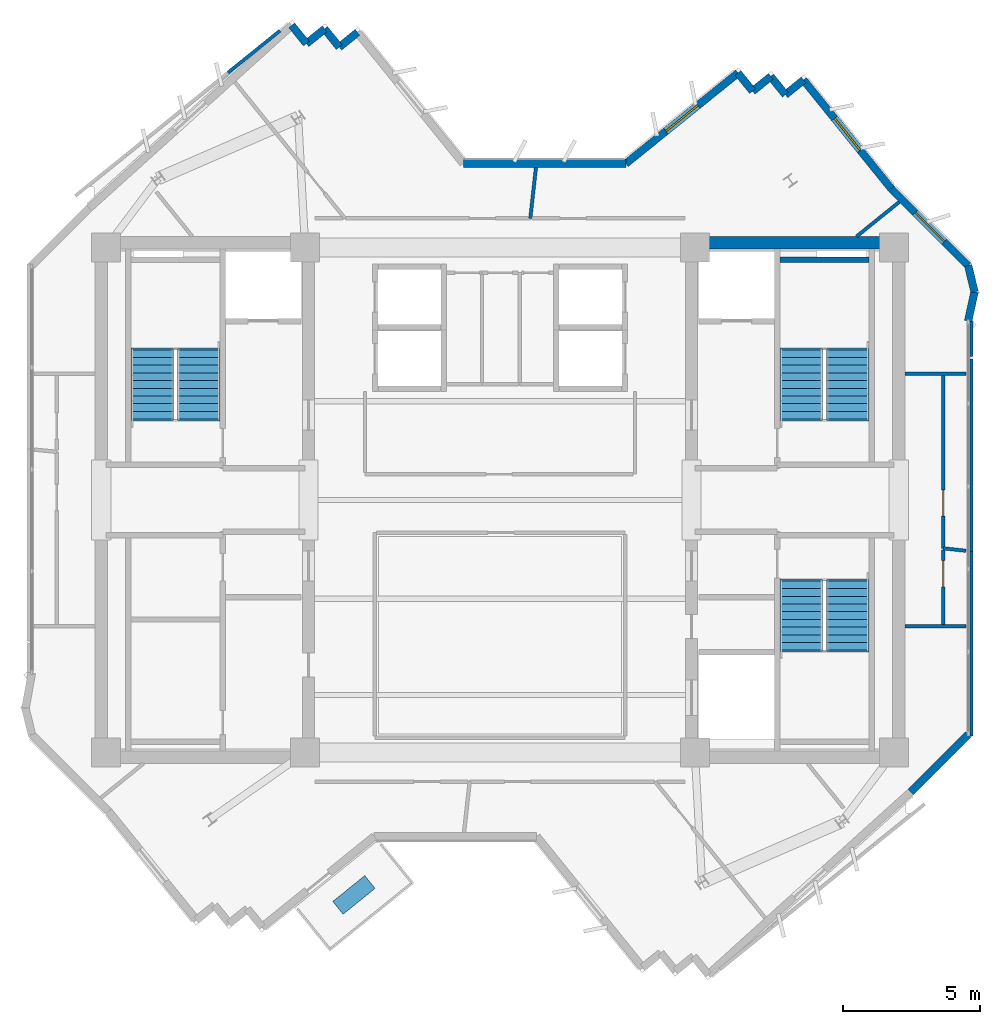
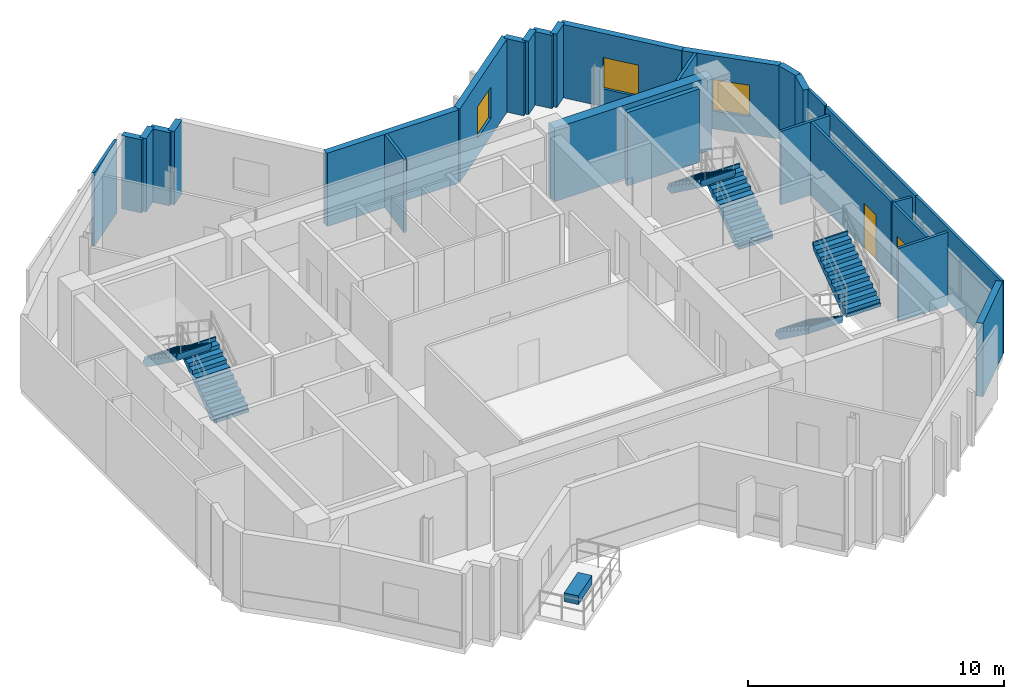
# One storey, part 9 of 11: 28 walls, 6 stair flights, 3 windows, 2 doors, 1 discrete accessory, 5 openings, 3 elements without a shape of their own.
"""IFC4 building model written with IfcOpenShell, lengths in metres."""

from ifc_helpers import new_model, si_unit, direction, frame, frame_2d, origin, origin_2d, place, context, subcontext, project, spatial, polyline, rectangle, outline, extrude, source, transform, mapped, material, layer, layer_set, type_object, element, fill, aggregate, save


model = new_model("IFC4")

# Units and contexts
model_context = context("Model", 3, precision=1e-05, world=origin(), true_north=direction((0.0, 1.0)))
body_context = subcontext(model_context, "Body", "Model", "MODEL_VIEW")
ifc_project = project(units=[si_unit("LENGTHUNIT", "METRE"), si_unit("AREAUNIT", "SQUARE_METRE"), si_unit("VOLUMEUNIT", "CUBIC_METRE"), si_unit("PLANEANGLEUNIT", "RADIAN"), si_unit("MASSUNIT", "GRAM", prefix="KILO")], contexts=[model_context])

# Site, building, storey
site_placement = place(None, origin())
site = spatial("IfcSite", under=ifc_project, at=site_placement, CompositionType="ELEMENT")
building_placement = place(site_placement, origin())
building = spatial("IfcBuilding", under=site, at=building_placement, Name="Zahravan Cultural Tower", CompositionType="ELEMENT")
storey_placement = place(building_placement, frame((0.0, 0.0, 284.10009765625)))
storey = spatial("IfcBuildingStorey", under=building, at=storey_placement, Name="L68", CompositionType="ELEMENT", Elevation=284.10009765625)

# Wall, opening, window
ifc_material_1 = material(Name="Precast concrete C40/50", Category="concrete")
ifc_layer_1 = layer(ifc_material_1, 0.280029296875)
ifc_layer_set_1 = layer_set([ifc_layer_1], Name="Precast concrete C40/50")
wall_type_1 = type_object("IfcWallType", Name="EW-TC-280", PredefinedType="SOLIDWALL", material=ifc_layer_set_1)
wall_1_placement = place(storey_placement, frame((40.5830078125, 39.260009765625, 0.0), z_axis=(0.0, 0.0, 1.0), x_axis=(0.778072238875, 0.628174809342, 0.0)))
wall_1 = element("IfcWall", 1, at=wall_1_placement, inside=storey, type_object=wall_type_1, Name="L68 Exterior Masonry Frame Wall 09", PredefinedType="SOLIDWALL", context=body_context, shape_type="SweptSolid", body=[
    extrude(rectangle(XDim=5.252685546875, YDim=0.280029296875, at=frame_2d((2.62646484375, 0.0))), origin(), (0.0, 0.0, 1.0), 3.5),
])
opening_1_placement = place(wall_1_placement, frame((1.8759765625, 0.0, 0.85009765625)))
opening_1 = element("IfcOpeningElement", 2, at=opening_1_placement, cuts=wall_1, Name="Opening WN-03", PredefinedType="OPENING", context=body_context, shape_type="SweptSolid", body=[
    extrude(rectangle(XDim=1.5, YDim=1.5, at=frame_2d((0.75, 0.75))), frame((0.0, 0.14990234375, 0.0), z_axis=(0.0, -1.0, 0.0), x_axis=(1.0, 0.0, 0.0)), (0.0, 0.0, 1.0), 0.300048828125),
])
ifc_material_2 = material(Name="Low-E solar-control double glazing", Category="glass")
window_type = type_object("IfcWindowType", Name="WN-REC-1500X1500", PartitioningType="SINGLE_PANEL", PredefinedType="WINDOW", material=ifc_material_2)
shared_shape_1 = source(origin(), body_context, "Body", "SweptSolid", [
    extrude(rectangle(XDim=1.5, YDim=1.5, at=frame_2d((0.75, 0.75))), frame((0.0, 0.030029296875, 0.0), z_axis=(0.0, -1.0, 0.0), x_axis=(1.0, 0.0, 0.0)), (0.0, 0.0, 1.0), 0.06005859375),
])
window_1_placement = place(opening_1_placement, origin())
window_1 = element("IfcWindow", 3, at=window_1_placement, inside=storey, type_object=window_type, Name="L68 Recessed Solar Window 03", OverallHeight=1.5, OverallWidth=1.5, PartitioningType="SINGLE_PANEL", PredefinedType="WINDOW", context=body_context, shape_type="MappedRepresentation", body=[
    mapped(shared_shape_1, transform((0.0, 0.0, 0.0), x_axis=(1.0, 0.0, 0.0), y_axis=(0.0, 1.0, 0.0), z_axis=(0.0, 0.0, 1.0), scale=1.0)),
])
fill(opening_1, window_1)

wall_2_placement = place(storey_placement, frame((47.060302734375, 42.3046875, 0.0), z_axis=(0.0, 0.0, 1.0), x_axis=(0.628225517447, -0.778031297075, 0.0)))
wall_2 = element("IfcWall", 4, at=wall_2_placement, inside=storey, type_object=wall_type_1, Name="L68 Exterior Masonry Frame Wall 14", PredefinedType="SOLIDWALL", context=body_context, shape_type="SweptSolid", body=[
    extrude(rectangle(XDim=5.0927734375, YDim=0.280029296875, at=frame_2d((2.54638671875, 0.0))), origin(), (0.0, 0.0, 1.0), 3.5),
])
opening_2_placement = place(wall_2_placement, frame((1.7958984375, 0.0, 0.85009765625)))
opening_2 = element("IfcOpeningElement", 5, at=opening_2_placement, cuts=wall_2, Name="Opening WN-03", PredefinedType="OPENING", context=body_context, shape_type="SweptSolid", body=[
    extrude(rectangle(XDim=1.5, YDim=1.5, at=frame_2d((0.75, 0.75))), frame((0.0, 0.14990234375, 0.0), z_axis=(0.0, -1.0, 0.0), x_axis=(1.0, 0.0, 0.0)), (0.0, 0.0, 1.0), 0.300048828125),
])
window_2_placement = place(opening_2_placement, origin())
window_2 = element("IfcWindow", 6, at=window_2_placement, inside=storey, type_object=window_type, Name="L68 Recessed Solar Window 04", OverallHeight=1.5, OverallWidth=1.5, PartitioningType="SINGLE_PANEL", PredefinedType="WINDOW", context=body_context, shape_type="MappedRepresentation", body=[
    mapped(shared_shape_1, transform((0.0, 0.0, 0.0), x_axis=(1.0, 0.0, 0.0), y_axis=(0.0, 1.0, 0.0), z_axis=(0.0, 0.0, 1.0), scale=1.0)),
])
fill(opening_2, window_2)

wall_3_placement = place(storey_placement, frame((50.259765625, 38.34228515625, 0.0), z_axis=(0.0, 0.0, 1.0), x_axis=(0.707106781187, -0.707106781187, 0.0)))
wall_3 = element("IfcWall", 7, at=wall_3_placement, inside=storey, type_object=wall_type_1, Name="L68 Exterior Masonry Frame Wall 15", PredefinedType="SOLIDWALL", context=body_context, shape_type="SweptSolid", body=[
    extrude(rectangle(XDim=3.960205078125, YDim=0.280029296875, at=frame_2d((1.97998046875, 0.0))), origin(), (0.0, 0.0, 1.0), 3.5),
])
opening_3_placement = place(wall_3_placement, frame((1.22998046875, 0.0, 0.85009765625)))
opening_3 = element("IfcOpeningElement", 8, at=opening_3_placement, cuts=wall_3, Name="Opening WN-03", PredefinedType="OPENING", context=body_context, shape_type="SweptSolid", body=[
    extrude(rectangle(XDim=1.5, YDim=1.5, at=frame_2d((0.75, 0.75))), frame((0.0, 0.14990234375, 0.0), z_axis=(0.0, -1.0, 0.0), x_axis=(1.0, 0.0, 0.0)), (0.0, 0.0, 1.0), 0.300048828125),
])
window_3_placement = place(opening_3_placement, origin())
window_3 = element("IfcWindow", 9, at=window_3_placement, inside=storey, type_object=window_type, Name="L68 Recessed Solar Window 05", OverallHeight=1.5, OverallWidth=1.5, PartitioningType="SINGLE_PANEL", PredefinedType="WINDOW", context=body_context, shape_type="MappedRepresentation", body=[
    mapped(shared_shape_1, transform((0.0, 0.0, 0.0), x_axis=(1.0, 0.0, 0.0), y_axis=(0.0, 1.0, 0.0), z_axis=(0.0, 0.0, 1.0), scale=1.0)),
])
fill(opening_3, window_3)

# Wall, opening, door
ifc_material_3 = material(Name="Gypsum plasterboard partition")
ifc_layer_2 = layer(ifc_material_3, 0.125)
ifc_layer_set_2 = layer_set([ifc_layer_2], Name="Gypsum plasterboard partition")
wall_type_2 = type_object("IfcWallType", Name="W-PART-125", PredefinedType="PARTITIONING", material=ifc_layer_set_2)
wall_4_placement = place(storey_placement, frame((52.14990234375, 25.240478515625, 0.0), z_axis=(0.0, 0.0, 1.0), x_axis=(-0.000155231293, 0.999999987952, 0.0)))
wall_4 = element("IfcWall", 10, at=wall_4_placement, inside=storey, type_object=wall_type_2, Name="L68 Interior Wall 060", PredefinedType="PARTITIONING", context=body_context, shape_type="SweptSolid", body=[
    extrude(rectangle(XDim=6.291015625, YDim=0.125, at=frame_2d((3.1455078125, 0.0))), origin(), (0.0, 0.0, 1.0), 3.5),
])
opening_4_placement = place(wall_4_placement, frame((1.175048828125, 0.0, 0.0)))
opening_4 = element("IfcOpeningElement", 11, at=opening_4_placement, cuts=wall_4, Name="Opening D-L68-17", PredefinedType="OPENING", context=body_context, shape_type="SweptSolid", body=[
    extrude(rectangle(XDim=0.949951171875, YDim=2.14990234375, at=frame_2d((0.47509765625, 1.074951171875))), frame((0.0, 0.072509765625, 0.0), z_axis=(0.0, -1.0, 0.0), x_axis=(1.0, 0.0, 0.0)), (0.0, 0.0, 1.0), 0.14501953125),
])
ifc_material_4 = material(Name="Anodised bronze-aluminium mullion", Category="aluminium")
door_type = type_object("IfcDoorType", Name="DR-ROOM-950", OperationType="NOTDEFINED", PredefinedType="DOOR", material=ifc_material_4)
shared_shape_2 = source(origin(), body_context, "Body", "SweptSolid", [
    extrude(rectangle(XDim=0.949951171875, YDim=2.14990234375, at=frame_2d((0.47509765625, 1.074951171875))), frame((0.0, 0.02490234375, 0.0), z_axis=(0.0, -1.0, 0.0), x_axis=(1.0, 0.0, 0.0)), (0.0, 0.0, 1.0), 0.050048828125),
])
door_1_placement = place(opening_4_placement, origin())
door_1 = element("IfcDoor", 12, at=door_1_placement, inside=storey, type_object=door_type, Name="L68 Door D-L68-17", OperationType="SINGLE_SWING_RIGHT", OverallHeight=2.14990234375, OverallWidth=0.949951171875, PredefinedType="DOOR", context=body_context, shape_type="MappedRepresentation", body=[
    mapped(shared_shape_2, transform((0.0, 0.0, 0.0), x_axis=(1.0, 0.0, 0.0), y_axis=(0.0, 1.0, 0.0), z_axis=(0.0, 0.0, 1.0), scale=1.0)),
])
fill(opening_4, door_1)

wall_5_placement = place(storey_placement, frame((52.146484375, 22.468017578125, 0.0), z_axis=(0.0, 0.0, 1.0), x_axis=(0.001263765014, 0.999999201449, 0.0)))
wall_5 = element("IfcWall", 13, at=wall_5_placement, inside=storey, type_object=wall_type_2, Name="L68 Interior Wall 063", PredefinedType="PARTITIONING", context=body_context, shape_type="SweptSolid", body=[
    extrude(rectangle(XDim=2.70458984375, YDim=0.125, at=frame_2d((1.352294921875, 0.0))), origin(), (0.0, 0.0, 1.0), 3.5),
])
opening_5_placement = place(wall_5_placement, frame((1.36865234375, 0.0, 0.0)))
opening_5 = element("IfcOpeningElement", 14, at=opening_5_placement, cuts=wall_5, Name="Opening D-L68-24", PredefinedType="OPENING", context=body_context, shape_type="SweptSolid", body=[
    extrude(rectangle(XDim=0.949951171875, YDim=2.14990234375, at=frame_2d((0.47509765625, 1.074951171875))), frame((0.0, 0.072509765625, 0.0), z_axis=(0.0, -1.0, 0.0), x_axis=(1.0, 0.0, 0.0)), (0.0, 0.0, 1.0), 0.14501953125),
])
door_2_placement = place(opening_5_placement, origin())
door_2 = element("IfcDoor", 15, at=door_2_placement, inside=storey, type_object=door_type, Name="L68 Door D-L68-24", OperationType="SINGLE_SWING_LEFT", OverallHeight=2.14990234375, OverallWidth=0.949951171875, PredefinedType="DOOR", context=body_context, shape_type="MappedRepresentation", body=[
    mapped(shared_shape_2, transform((0.0, 0.0, 0.0), x_axis=(1.0, 0.0, 0.0), y_axis=(0.0, 1.0, 0.0), z_axis=(0.0, 0.0, 1.0), scale=1.0)),
])
fill(opening_5, door_2)

# Walls
ifc_material_5 = material(Name="Concrete C50/60", Category="concrete")
ifc_layer_3 = layer(ifc_material_5, 0.449951171875)
ifc_layer_set_3 = layer_set([ifc_layer_3], Name="Concrete C50/60")
wall_type_3 = type_object("IfcWallType", Name="CW-SHEAR-450-C50", PredefinedType="SHEAR", material=ifc_layer_set_3)
shared_shape_3 = source(origin(), body_context, "Body", "SweptSolid", [
    extrude(rectangle(XDim=7.10009765625, YDim=0.449951171875, at=frame_2d((3.550048828125, 0.0))), origin(), (0.0, 0.0, 1.0), 3.5),
])
wall_6_placement = place(storey_placement, frame((43.199951171875, 36.375, 0.0), z_axis=(0.0, 0.0, 1.0), x_axis=(1.0, 0.0, 0.0)))
element("IfcWall", 16, at=wall_6_placement, inside=storey, type_object=wall_type_3, Name="L68 Core Shear Wall CW-E-N-L68", PredefinedType="SHEAR", context=body_context, shape_type="MappedRepresentation", body=[
    mapped(shared_shape_3, transform((0.0, 0.0, 0.0), x_axis=(1.0, 0.0, 0.0), y_axis=(0.0, 1.0, 0.0), z_axis=(0.0, 0.0, 1.0), scale=1.0)),
])
shared_shape_4 = source(origin(), body_context, "Body", "SweptSolid", [
    extrude(rectangle(XDim=0.85009765625, YDim=0.280029296875, at=frame_2d((0.425048828125, 0.0))), origin(), (0.0, 0.0, 1.0), 3.5),
])
for number, where, z_axis, x_axis, name in (
    (17, (28.41357421875, 44.2919921875, 0.0), (0.0, 0.0, 1.0), (0.628156579423, -0.778086956405, 0.0), "L68 Exterior Masonry Frame Wall 03"),
    (18, (28.947509765625, 43.630615234375, 0.0), (0.0, 0.0, 1.0), (0.777946579095, 0.628330422687, 0.0), "L68 Exterior Masonry Frame Wall 04"),
    (19, (29.60888671875, 44.164794921875, 0.0), (0.0, 0.0, 1.0), (0.628156579423, -0.778086956405, 0.0), "L68 Exterior Masonry Frame Wall 05"),
    (20, (30.142822265625, 43.50341796875, 0.0), (0.0, 0.0, 1.0), (0.778086956405, 0.628156579423, 0.0), "L68 Exterior Masonry Frame Wall 06"),
    (21, (44.669921875, 42.5595703125, 0.0), (0.0, 0.0, 1.0), (0.628156579423, -0.778086956405, 0.0), "L68 Exterior Masonry Frame Wall 10"),
    (22, (45.864990234375, 42.43212890625, 0.0), (0.0, 0.0, 1.0), (0.628330422687, -0.777946579095, 0.0), "L68 Exterior Masonry Frame Wall 12"),
):
    element("IfcWall", number, at=place(storey_placement, frame(where, z_axis=z_axis, x_axis=x_axis)), inside=storey, type_object=wall_type_1, Name=name, PredefinedType="SOLIDWALL", context=body_context, shape_type="MappedRepresentation", body=[
        mapped(shared_shape_4, transform((0.0, 0.0, 0.0), x_axis=(1.0, 0.0, 0.0), y_axis=(0.0, 1.0, 0.0), z_axis=(0.0, 0.0, 1.0), scale=1.0)),
    ])
shared_shape_5 = source(origin(), body_context, "Body", "SweptSolid", [
    extrude(rectangle(XDim=0.849853515625, YDim=0.280029296875, at=frame_2d((0.4248046875, 0.0))), origin(), (0.0, 0.0, 1.0), 3.5),
])
for number, where, z_axis, x_axis, name in (
    (23, (45.203857421875, 41.898193359375, 0.0), (0.0, 0.0, 1.0), (0.777973585776, 0.628296983786, 0.0), "L68 Exterior Masonry Frame Wall 11"),
    (24, (46.399169921875, 41.770751953125, 0.0), (0.0, 0.0, 1.0), (0.777973585776, 0.628296983786, 0.0), "L68 Exterior Masonry Frame Wall 13"),
):
    element("IfcWall", number, at=place(storey_placement, frame(where, z_axis=z_axis, x_axis=x_axis)), inside=storey, type_object=wall_type_1, Name=name, PredefinedType="SOLIDWALL", context=body_context, shape_type="MappedRepresentation", body=[
        mapped(shared_shape_5, transform((0.0, 0.0, 0.0), x_axis=(1.0, 0.0, 0.0), y_axis=(0.0, 1.0, 0.0), z_axis=(0.0, 0.0, 1.0), scale=1.0)),
    ])
shared_shape_6 = source(origin(), body_context, "Body", "SweptSolid", [
    extrude(rectangle(XDim=2.96435546875, YDim=0.280029296875, at=frame_2d((1.482177734375, 0.0))), origin(), (0.0, 0.0, 1.0), 3.5),
])
wall_7_placement = place(storey_placement, frame((53.06005859375, 18.4580078125, 0.0), z_axis=(0.0, 0.0, 1.0), x_axis=(-0.707106781187, -0.707106781187, 0.0)))
element("IfcWall", 25, at=wall_7_placement, inside=storey, type_object=wall_type_1, Name="L68 Exterior Masonry Frame Wall 18", PredefinedType="SOLIDWALL", context=body_context, shape_type="MappedRepresentation", body=[
    mapped(shared_shape_6, transform((0.0, 0.0, 0.0), x_axis=(1.0, 0.0, 0.0), y_axis=(0.0, 1.0, 0.0), z_axis=(0.0, 0.0, 1.0), scale=1.0)),
])
shared_shape_7 = source(origin(), body_context, "Body", "SweptSolid", [
    extrude(rectangle(XDim=5.921630859375, YDim=0.280029296875, at=frame_2d((2.9609375, 0.0))), origin(), (0.0, 0.0, 1.0), 3.5),
])
wall_8_placement = place(storey_placement, frame((34.661376953125, 39.260009765625, 0.0), z_axis=(0.0, 0.0, 1.0), x_axis=(1.0, 0.0, 0.0)))
element("IfcWall", 26, at=wall_8_placement, inside=storey, type_object=wall_type_1, Name="L68 Exterior Masonry Frame Wall 08", PredefinedType="SOLIDWALL", context=body_context, shape_type="MappedRepresentation", body=[
    mapped(shared_shape_7, transform((0.0, 0.0, 0.0), x_axis=(1.0, 0.0, 0.0), y_axis=(0.0, 1.0, 0.0), z_axis=(0.0, 0.0, 1.0), scale=1.0)),
])
shared_shape_8 = source(origin(), body_context, "Body", "SweptSolid", [
    extrude(rectangle(XDim=0.9833984375, YDim=0.280029296875, at=frame_2d((0.49169921875, 0.0))), origin(), (0.0, 0.0, 1.0), 3.5),
])
wall_9_placement = place(storey_placement, frame((53.06005859375, 35.5419921875, 0.0), z_axis=(0.0, 0.0, 1.0), x_axis=(0.235870049888, -0.971784605541, 0.0)))
element("IfcWall", 27, at=wall_9_placement, inside=storey, type_object=wall_type_1, Name="L68 Exterior Masonry Frame Wall 16", PredefinedType="SOLIDWALL", context=body_context, shape_type="MappedRepresentation", body=[
    mapped(shared_shape_8, transform((0.0, 0.0, 0.0), x_axis=(1.0, 0.0, 0.0), y_axis=(0.0, 1.0, 0.0), z_axis=(0.0, 0.0, 1.0), scale=1.0)),
])
shared_shape_9 = source(origin(), body_context, "Body", "SweptSolid", [
    extrude(rectangle(XDim=1.090576171875, YDim=0.280029296875, at=frame_2d((0.54541015625, 0.0))), origin(), (0.0, 0.0, 1.0), 3.5),
])
wall_10_placement = place(storey_placement, frame((53.2919921875, 34.58642578125, 0.0), z_axis=(0.0, 0.0, 1.0), x_axis=(-0.212661978508, -0.977125827566, 0.0)))
element("IfcWall", 28, at=wall_10_placement, inside=storey, type_object=wall_type_1, Name="L68 Exterior Masonry Frame Wall 17", PredefinedType="SOLIDWALL", context=body_context, shape_type="MappedRepresentation", body=[
    mapped(shared_shape_9, transform((0.0, 0.0, 0.0), x_axis=(1.0, 0.0, 0.0), y_axis=(0.0, 1.0, 0.0), z_axis=(0.0, 0.0, 1.0), scale=1.0)),
])
ifc_material_6 = material(Name="Concrete C45/55", Category="concrete")
ifc_layer_4 = layer(ifc_material_6, 0.199951171875)
ifc_layer_set_4 = layer_set([ifc_layer_4], Name="Concrete C45/55")
wall_type_4 = type_object("IfcWallType", Name="W-SHAFT-200", PredefinedType="SOLIDWALL", material=ifc_layer_set_4)
shared_shape_10 = source(origin(), body_context, "Body", "SweptSolid", [
    extrude(rectangle(XDim=3.25, YDim=0.199951171875, at=frame_2d((1.625, 0.0))), origin(), (0.0, 0.0, 1.0), 3.5),
])
wall_11_placement = place(storey_placement, frame((46.199951171875, 35.75, 0.0), z_axis=(0.0, 0.0, 1.0), x_axis=(1.0, 0.0, 0.0)))
element("IfcWall", 29, at=wall_11_placement, inside=storey, type_object=wall_type_4, Name="L68 Interior Wall 018", PredefinedType="SOLIDWALL", context=body_context, shape_type="MappedRepresentation", body=[
    mapped(shared_shape_10, transform((0.0, 0.0, 0.0), x_axis=(1.0, 0.0, 0.0), y_axis=(0.0, 1.0, 0.0), z_axis=(0.0, 0.0, 1.0), scale=1.0)),
])
shared_shape_11 = source(origin(), body_context, "Body", "SweptSolid", [
    extrude(rectangle(XDim=1.989013671875, YDim=0.125, at=frame_2d((0.99462890625, 0.0))), origin(), (0.0, 0.0, 1.0), 3.5),
])
wall_12_placement = place(storey_placement, frame((48.994873046875, 36.60498046875, 0.0), z_axis=(0.0, 0.0, 1.0), x_axis=(0.778058853423, 0.628191388519, 0.0)))
element("IfcWall", 30, at=wall_12_placement, inside=storey, type_object=wall_type_2, Name="L68 Interior Wall 056", PredefinedType="PARTITIONING", context=body_context, shape_type="MappedRepresentation", body=[
    mapped(shared_shape_11, transform((0.0, 0.0, 0.0), x_axis=(1.0, 0.0, 0.0), y_axis=(0.0, 1.0, 0.0), z_axis=(0.0, 0.0, 1.0), scale=1.0)),
])
shared_shape_12 = source(origin(), body_context, "Body", "SweptSolid", [
    extrude(rectangle(XDim=2.22265625, YDim=0.125, at=frame_2d((1.111328125, 0.0))), origin(), (0.0, 0.0, 1.0), 3.5),
])
for number, where, z_axis, x_axis, name in (
    (31, (52.9775390625, 31.598388671875, 0.0), (0.0, 0.0, 1.0), (-0.999999704402, 0.000768892567, 0.0), "L68 Interior Wall 055"),
    (32, (50.7548828125, 22.39990234375, 0.0), (0.0, 0.0, 1.0), (0.999999903478, 0.000439367269, 0.0), "L68 Interior Wall 062"),
):
    element("IfcWall", number, at=place(storey_placement, frame(where, z_axis=z_axis, x_axis=x_axis)), inside=storey, type_object=wall_type_2, Name=name, PredefinedType="PARTITIONING", context=body_context, shape_type="MappedRepresentation", body=[
        mapped(shared_shape_12, transform((0.0, 0.0, 0.0), x_axis=(1.0, 0.0, 0.0), y_axis=(0.0, 1.0, 0.0), z_axis=(0.0, 0.0, 1.0), scale=1.0)),
    ])
shared_shape_13 = source(origin(), body_context, "Body", "SweptSolid", [
    extrude(rectangle(XDim=1.275634765625, YDim=0.125, at=frame_2d((0.6376953125, 0.0))), origin(), (0.0, 0.0, 1.0), 3.5),
])
wall_13_placement = place(storey_placement, frame((53.179931640625, 33.499755859375, 0.0), z_axis=(0.0, 0.0, 1.0), x_axis=(0.0, -1.0, 0.0)))
element("IfcWall", 33, at=wall_13_placement, inside=storey, type_object=wall_type_2, Name="L68 Interior Wall 057", PredefinedType="PARTITIONING", context=body_context, shape_type="MappedRepresentation", body=[
    mapped(shared_shape_13, transform((0.0, 0.0, 0.0), x_axis=(1.0, 0.0, 0.0), y_axis=(0.0, 1.0, 0.0), z_axis=(0.0, 0.0, 1.0), scale=1.0)),
])
shared_shape_14 = source(origin(), body_context, "Body", "SweptSolid", [
    extrude(rectangle(XDim=7.014404296875, YDim=0.125, at=frame_2d((3.50732421875, 0.0))), origin(), (0.0, 0.0, 1.0), 3.5),
])
wall_14_placement = place(storey_placement, frame((53.179931640625, 32.140380859375, 0.0), z_axis=(0.0, 0.0, 1.0), x_axis=(0.0, -1.0, 0.0)))
element("IfcWall", 34, at=wall_14_placement, inside=storey, type_object=wall_type_2, Name="L68 Interior Wall 058", PredefinedType="PARTITIONING", context=body_context, shape_type="MappedRepresentation", body=[
    mapped(shared_shape_14, transform((0.0, 0.0, 0.0), x_axis=(1.0, 0.0, 0.0), y_axis=(0.0, 1.0, 0.0), z_axis=(0.0, 0.0, 1.0), scale=1.0)),
])
shared_shape_15 = source(origin(), body_context, "Body", "SweptSolid", [
    extrude(rectangle(XDim=0.82763671875, YDim=0.125, at=frame_2d((0.413818359375, 0.0))), origin(), (0.0, 0.0, 1.0), 3.5),
])
wall_15_placement = place(storey_placement, frame((52.972412109375, 25.14892578125, 0.0), z_axis=(0.0, 0.0, 1.0), x_axis=(-0.993862130166, 0.110625793652, 0.0)))
element("IfcWall", 35, at=wall_15_placement, inside=storey, type_object=wall_type_2, Name="L68 Interior Wall 059", PredefinedType="PARTITIONING", context=body_context, shape_type="MappedRepresentation", body=[
    mapped(shared_shape_15, transform((0.0, 0.0, 0.0), x_axis=(1.0, 0.0, 0.0), y_axis=(0.0, 1.0, 0.0), z_axis=(0.0, 0.0, 1.0), scale=1.0)),
])
shared_shape_16 = source(origin(), body_context, "Body", "SweptSolid", [
    extrude(rectangle(XDim=6.7177734375, YDim=0.125, at=frame_2d((3.35888671875, 0.0))), origin(), (0.0, 0.0, 1.0), 3.5),
])
wall_16_placement = place(storey_placement, frame((53.179931640625, 25.1259765625, 0.0), z_axis=(0.0, 0.0, 1.0), x_axis=(0.0, -1.0, 0.0)))
element("IfcWall", 36, at=wall_16_placement, inside=storey, type_object=wall_type_2, Name="L68 Interior Wall 064", PredefinedType="PARTITIONING", context=body_context, shape_type="MappedRepresentation", body=[
    mapped(shared_shape_16, transform((0.0, 0.0, 0.0), x_axis=(1.0, 0.0, 0.0), y_axis=(0.0, 1.0, 0.0), z_axis=(0.0, 0.0, 1.0), scale=1.0)),
])
shared_shape_17 = source(origin(), body_context, "Body", "SweptSolid", [
    extrude(rectangle(XDim=2.43359375, YDim=0.125, at=frame_2d((1.216796875, 0.0))), origin(), (0.0, 0.0, 1.0), 3.5),
])
wall_17_placement = place(storey_placement, frame((26.089599609375, 42.570068359375, 0.0), z_axis=(0.0, 0.0, 1.0), x_axis=(0.778061870062, 0.628187652183, 0.0)))
element("IfcWall", 37, at=wall_17_placement, inside=storey, type_object=wall_type_2, Name="L68 Interior Wall 081", PredefinedType="PARTITIONING", context=body_context, shape_type="MappedRepresentation", body=[
    mapped(shared_shape_17, transform((0.0, 0.0, 0.0), x_axis=(1.0, 0.0, 0.0), y_axis=(0.0, 1.0, 0.0), z_axis=(0.0, 0.0, 1.0), scale=1.0)),
])
shared_shape_18 = source(origin(), body_context, "Body", "SweptSolid", [
    extrude(rectangle(XDim=1.866455078125, YDim=0.125, at=frame_2d((0.93310546875, 0.0))), origin(), (0.0, 0.0, 1.0), 3.5),
])
wall_18_placement = place(storey_placement, frame((37.310302734375, 39.114990234375, 0.0), z_axis=(0.0, 0.0, 1.0), x_axis=(-0.110661229882, -0.993858185156, 0.0)))
element("IfcWall", 38, at=wall_18_placement, inside=storey, type_object=wall_type_2, Name="L68 Interior Wall 082", PredefinedType="PARTITIONING", context=body_context, shape_type="MappedRepresentation", body=[
    mapped(shared_shape_18, transform((0.0, 0.0, 0.0), x_axis=(1.0, 0.0, 0.0), y_axis=(0.0, 1.0, 0.0), z_axis=(0.0, 0.0, 1.0), scale=1.0)),
])

# Stair, stair flights
stair_type = type_object("IfcStairType", Name="STR-DL-1550-375", PredefinedType="HALF_TURN_STAIR", material=ifc_material_6)
stair_1_placement = place(storey_placement, origin())
stair_1 = element("IfcStair", 39, at=stair_1_placement, inside=storey, type_object=stair_type, Name="L68 West Core North Exit Stair ST-W1", PredefinedType="HALF_TURN_STAIR")
stair_flight_type = type_object("IfcStairFlightType", Name="FLG-DL-1550-375", PredefinedType="STRAIGHT", material=ifc_material_6)
stair_flight_1_placement = place(storey_placement, frame((25.02490234375, 29.949951171875, 0.0), z_axis=(0.0, 0.0, 1.0), x_axis=(0.0, 1.0, 0.0)))
stair_flight_1 = element("IfcStairFlight", 40, at=stair_flight_1_placement, type_object=stair_flight_type, Name="ST-W1 flight 1", NumberOfRisers=10, NumberOfTreads=9, PredefinedType="STRAIGHT", RiserHeight=0.1875, TreadLength=0.28, context=body_context, shape_type="SweptSolid", body=[
    extrude(outline(polyline([(-0.06494140625, -0.139892578125), (-0.06494140625, 0.0), (0.0, 0.0), (0.0, 0.1875), (0.280029296875, 0.1875), (0.280029296875, 0.375), (0.56005859375, 0.375), (0.56005859375, 0.5625), (0.840087890625, 0.5625), (0.840087890625, 0.75), (1.1201171875, 0.75), (1.1201171875, 0.9375), (1.39990234375, 0.9375), (1.39990234375, 1.125), (1.679931640625, 1.125), (1.679931640625, 1.3125), (1.9599609375, 1.3125), (1.9599609375, 1.5), (2.239990234375, 1.5), (2.239990234375, 1.6875), (2.52001953125, 1.6875), (2.52001953125, 1.875), (2.5849609375, 1.875), (2.5849609375, 1.72509765625), (2.52001953125, 1.507080078125), (0.26953125, -0.139892578125), (-0.06494140625, -0.139892578125)])), frame((0.0, 0.77490234375, 0.0), z_axis=(0.0, -1.0, 0.0), x_axis=(1.0, 0.0, 0.0)), (0.0, 0.0, 1.0), 1.550048828125),
])
stair_flight_2_placement = place(storey_placement, frame((23.324951171875, 32.469970703125, 1.875), z_axis=(0.0, 0.0, 1.0), x_axis=(0.0, -1.0, 0.0)))
stair_flight_2 = element("IfcStairFlight", 41, at=stair_flight_2_placement, type_object=stair_flight_type, Name="ST-W1 flight 2", NumberOfRisers=10, NumberOfTreads=9, PredefinedType="STRAIGHT", RiserHeight=0.1875, TreadLength=0.28, context=body_context, shape_type="SweptSolid", body=[
    extrude(outline(polyline([(-0.06494140625, -0.139892578125), (-0.06494140625, 0.0), (0.0, 0.0), (0.0, 0.1875), (0.280029296875, 0.1875), (0.280029296875, 0.375), (0.56005859375, 0.375), (0.56005859375, 0.5625), (0.840087890625, 0.5625), (0.840087890625, 0.75), (1.1201171875, 0.75), (1.1201171875, 0.9375), (1.39990234375, 0.9375), (1.39990234375, 1.125), (1.679931640625, 1.125), (1.679931640625, 1.3125), (1.9599609375, 1.3125), (1.9599609375, 1.5), (2.239990234375, 1.5), (2.239990234375, 1.6875), (2.52001953125, 1.6875), (2.52001953125, 1.875), (2.5849609375, 1.875), (2.5849609375, 1.72509765625), (2.52001953125, 1.507080078125), (0.26953125, -0.139892578125), (-0.06494140625, -0.139892578125)])), frame((0.0, 0.77490234375, 0.0), z_axis=(0.0, -1.0, 0.0), x_axis=(1.0, 0.0, 0.0)), (0.0, 0.0, 1.0), 1.550048828125),
])
aggregate(stair_1, [stair_flight_1, stair_flight_2])

stair_2_placement = place(storey_placement, origin())
stair_2 = element("IfcStair", 42, at=stair_2_placement, inside=storey, type_object=stair_type, Name="L68 East Core North Exit Stair ST-E1", PredefinedType="HALF_TURN_STAIR")
stair_flight_3_placement = place(storey_placement, frame((48.675048828125, 29.949951171875, 0.0), z_axis=(0.0, 0.0, 1.0), x_axis=(0.0, 1.0, 0.0)))
stair_flight_3 = element("IfcStairFlight", 43, at=stair_flight_3_placement, type_object=stair_flight_type, Name="ST-E1 flight 1", NumberOfRisers=10, NumberOfTreads=9, PredefinedType="STRAIGHT", RiserHeight=0.1875, TreadLength=0.28, context=body_context, shape_type="SweptSolid", body=[
    extrude(outline(polyline([(-0.06494140625, -0.139892578125), (-0.06494140625, 0.0), (0.0, 0.0), (0.0, 0.1875), (0.280029296875, 0.1875), (0.280029296875, 0.375), (0.56005859375, 0.375), (0.56005859375, 0.5625), (0.840087890625, 0.5625), (0.840087890625, 0.75), (1.1201171875, 0.75), (1.1201171875, 0.9375), (1.39990234375, 0.9375), (1.39990234375, 1.125), (1.679931640625, 1.125), (1.679931640625, 1.3125), (1.9599609375, 1.3125), (1.9599609375, 1.5), (2.239990234375, 1.5), (2.239990234375, 1.6875), (2.52001953125, 1.6875), (2.52001953125, 1.875), (2.5849609375, 1.875), (2.5849609375, 1.72509765625), (2.52001953125, 1.507080078125), (0.26953125, -0.139892578125), (-0.06494140625, -0.139892578125)])), frame((0.0, 0.77490234375, 0.0), z_axis=(0.0, -1.0, 0.0), x_axis=(1.0, 0.0, 0.0)), (0.0, 0.0, 1.0), 1.550048828125),
])
stair_flight_4_placement = place(storey_placement, frame((46.97509765625, 32.469970703125, 1.875), z_axis=(0.0, 0.0, 1.0), x_axis=(0.0, -1.0, 0.0)))
stair_flight_4 = element("IfcStairFlight", 44, at=stair_flight_4_placement, type_object=stair_flight_type, Name="ST-E1 flight 2", NumberOfRisers=10, NumberOfTreads=9, PredefinedType="STRAIGHT", RiserHeight=0.1875, TreadLength=0.28, context=body_context, shape_type="SweptSolid", body=[
    extrude(outline(polyline([(-0.06494140625, -0.139892578125), (-0.06494140625, 0.0), (0.0, 0.0), (0.0, 0.1875), (0.280029296875, 0.1875), (0.280029296875, 0.375), (0.56005859375, 0.375), (0.56005859375, 0.5625), (0.840087890625, 0.5625), (0.840087890625, 0.75), (1.1201171875, 0.75), (1.1201171875, 0.9375), (1.39990234375, 0.9375), (1.39990234375, 1.125), (1.679931640625, 1.125), (1.679931640625, 1.3125), (1.9599609375, 1.3125), (1.9599609375, 1.5), (2.239990234375, 1.5), (2.239990234375, 1.6875), (2.52001953125, 1.6875), (2.52001953125, 1.875), (2.5849609375, 1.875), (2.5849609375, 1.72509765625), (2.52001953125, 1.507080078125), (0.26953125, -0.139892578125), (-0.06494140625, -0.139892578125)])), frame((0.0, 0.77490234375, 0.0), z_axis=(0.0, -1.0, 0.0), x_axis=(1.0, 0.0, 0.0)), (0.0, 0.0, 1.0), 1.550048828125),
])
aggregate(stair_2, [stair_flight_3, stair_flight_4])

stair_3_placement = place(storey_placement, origin())
stair_3 = element("IfcStair", 45, at=stair_3_placement, inside=storey, type_object=stair_type, Name="L68 East Core South Exit Stair ST-E2", PredefinedType="HALF_TURN_STAIR")
stair_flight_5_placement = place(storey_placement, frame((46.97509765625, 24.050048828125, 0.0), z_axis=(0.0, 0.0, 1.0), x_axis=(0.0, -1.0, 0.0)))
stair_flight_5 = element("IfcStairFlight", 46, at=stair_flight_5_placement, type_object=stair_flight_type, Name="ST-E2 flight 1", NumberOfRisers=10, NumberOfTreads=9, PredefinedType="STRAIGHT", RiserHeight=0.1875, TreadLength=0.28, context=body_context, shape_type="SweptSolid", body=[
    extrude(outline(polyline([(-0.06494140625, -0.139892578125), (-0.06494140625, 0.0), (0.0, 0.0), (0.0, 0.1875), (0.280029296875, 0.1875), (0.280029296875, 0.375), (0.56005859375, 0.375), (0.56005859375, 0.5625), (0.840087890625, 0.5625), (0.840087890625, 0.75), (1.1201171875, 0.75), (1.1201171875, 0.9375), (1.39990234375, 0.9375), (1.39990234375, 1.125), (1.679931640625, 1.125), (1.679931640625, 1.3125), (1.9599609375, 1.3125), (1.9599609375, 1.5), (2.239990234375, 1.5), (2.239990234375, 1.6875), (2.52001953125, 1.6875), (2.52001953125, 1.875), (2.5849609375, 1.875), (2.5849609375, 1.72509765625), (2.52001953125, 1.507080078125), (0.26953125, -0.139892578125), (-0.06494140625, -0.139892578125)])), frame((0.0, 0.77490234375, 0.0), z_axis=(0.0, -1.0, 0.0), x_axis=(1.0, 0.0, 0.0)), (0.0, 0.0, 1.0), 1.550048828125),
])
stair_flight_6_placement = place(storey_placement, frame((48.675048828125, 21.530029296875, 1.875), z_axis=(0.0, 0.0, 1.0), x_axis=(0.0, 1.0, 0.0)))
stair_flight_6 = element("IfcStairFlight", 47, at=stair_flight_6_placement, type_object=stair_flight_type, Name="ST-E2 flight 2", NumberOfRisers=10, NumberOfTreads=9, PredefinedType="STRAIGHT", RiserHeight=0.1875, TreadLength=0.28, context=body_context, shape_type="SweptSolid", body=[
    extrude(outline(polyline([(-0.06494140625, -0.139892578125), (-0.06494140625, 0.0), (0.0, 0.0), (0.0, 0.1875), (0.280029296875, 0.1875), (0.280029296875, 0.375), (0.56005859375, 0.375), (0.56005859375, 0.5625), (0.840087890625, 0.5625), (0.840087890625, 0.75), (1.1201171875, 0.75), (1.1201171875, 0.9375), (1.39990234375, 0.9375), (1.39990234375, 1.125), (1.679931640625, 1.125), (1.679931640625, 1.3125), (1.9599609375, 1.3125), (1.9599609375, 1.5), (2.239990234375, 1.5), (2.239990234375, 1.6875), (2.52001953125, 1.6875), (2.52001953125, 1.875), (2.5849609375, 1.875), (2.5849609375, 1.72509765625), (2.52001953125, 1.507080078125), (0.26953125, -0.139892578125), (-0.06494140625, -0.139892578125)])), frame((0.0, 0.77490234375, 0.0), z_axis=(0.0, -1.0, 0.0), x_axis=(1.0, 0.0, 0.0)), (0.0, 0.0, 1.0), 1.550048828125),
])
aggregate(stair_3, [stair_flight_5, stair_flight_6])

# Discrete accessory
ifc_material_7 = material(Name="Planted soil and terracotta planter", Category="masonry")
discrete_accessory_type = type_object("IfcDiscreteAccessoryType", Name="ACC-PLANTER-TC", PredefinedType="USERDEFINED", material=ifc_material_7)
shared_shape_19 = source(origin(), body_context, "Body", "SweptSolid", [
    extrude(rectangle(XDim=1.5, YDim=0.60009765625, at=origin_2d()), origin(), (0.0, 0.0, 1.0), 0.419921875),
])
discrete_accessory_placement = place(storey_placement, frame((30.677978515625, 12.610595703125, 0.0), z_axis=(0.0, 0.0, 1.0), x_axis=(0.778060083088, 0.628189865491, 0.0)))
element("IfcDiscreteAccessory", 48, at=discrete_accessory_placement, inside=storey, type_object=discrete_accessory_type, Name="L68 Terracotta Sculpture Planter SW", ObjectType="PLANTER", PredefinedType="USERDEFINED", context=body_context, shape_type="MappedRepresentation", body=[
    mapped(shared_shape_19, transform((0.0, 0.0, 0.0), x_axis=(1.0, 0.0, 0.0), y_axis=(0.0, 1.0, 0.0), z_axis=(0.0, 0.0, 1.0), scale=1.0)),
])

save(model, "model.ifc")
